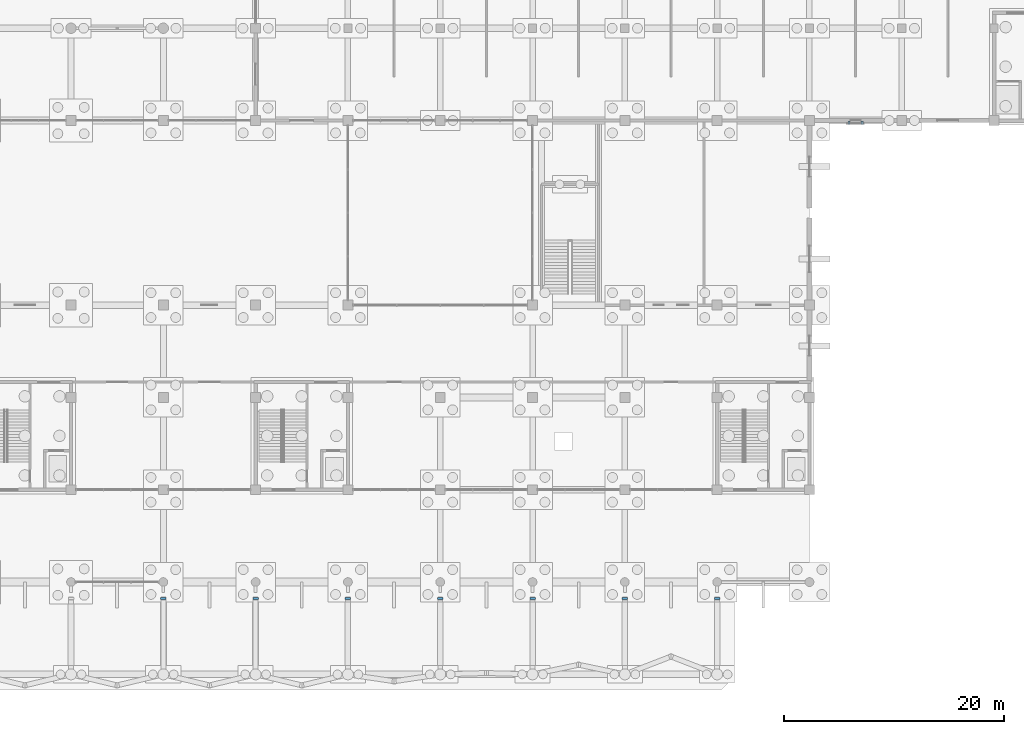
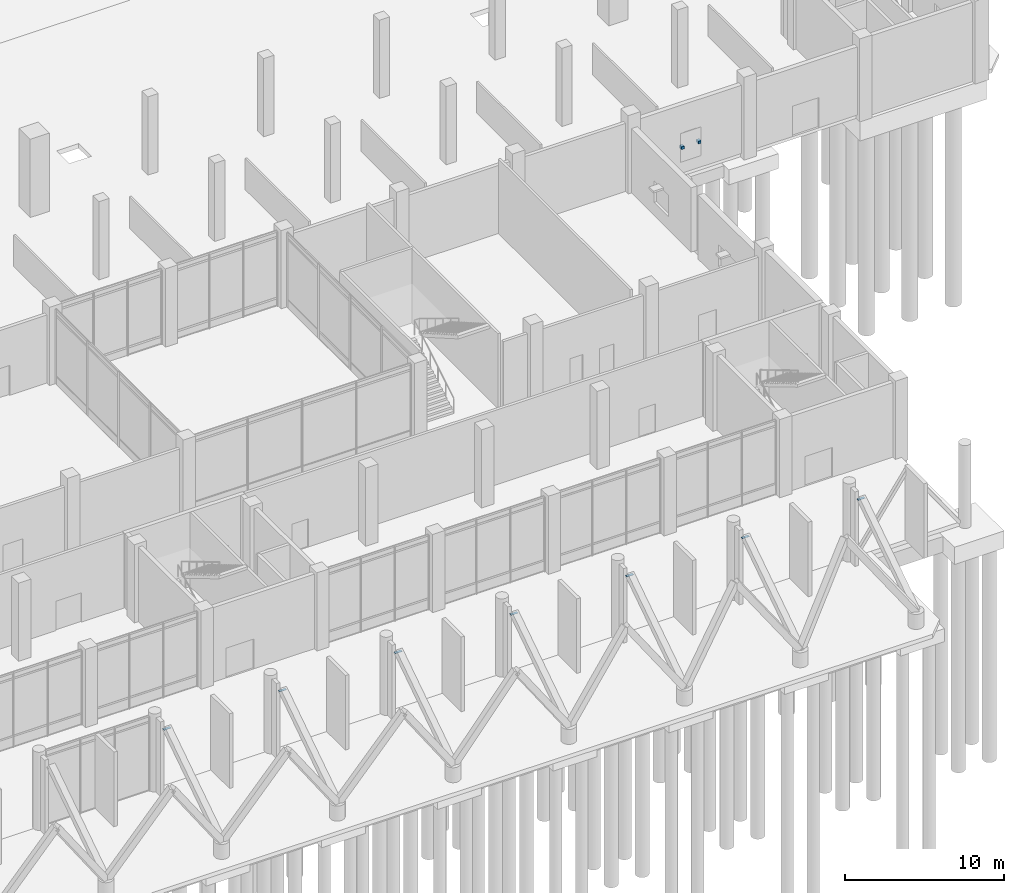
# One storey, part 68 of 72: 9 discrete accessories.
"""IFC4 building model written with IfcOpenShell, lengths in metres."""

from ifc_helpers import new_model, si_unit, direction, frame, origin, origin_2d, place, context, subcontext, project, spatial, rectangle, extrude, material, type_object, element, save


model = new_model("IFC4")

# Units and contexts
model_context = context("Model", 3, precision=1e-05, world=origin(), true_north=direction((0.0, 1.0)))
body_context = subcontext(model_context, "Body", "Model", "MODEL_VIEW")
ifc_project = project(units=[si_unit("LENGTHUNIT", "METRE"), si_unit("AREAUNIT", "SQUARE_METRE"), si_unit("VOLUMEUNIT", "CUBIC_METRE"), si_unit("PLANEANGLEUNIT", "RADIAN"), si_unit("MASSUNIT", "GRAM", prefix="KILO")], contexts=[model_context])

# Site, building, storey
site_placement = place(None, origin())
site = spatial("IfcSite", under=ifc_project, at=site_placement, CompositionType="ELEMENT")
building_placement = place(site_placement, origin())
building = spatial("IfcBuilding", under=site, at=building_placement, Name="Qawsi Khor Wholesale Market", CompositionType="ELEMENT")
storey_placement = place(building_placement, origin())
storey = spatial("IfcBuildingStorey", under=building, at=storey_placement, Name="L00", CompositionType="ELEMENT", Elevation=0.0)

# Discrete accessories
ifc_material = material(Name="Steel S355", Category="steel")
discrete_accessory_type_1 = type_object("IfcDiscreteAccessoryType", Name="Screen Fixing Bracket Steel S355", PredefinedType="BRACKET", material=ifc_material)
for number, where, z_axis, x_axis, name in (
    (1, (198.010009765625, 41.794921875, 1.9501953125), (0.0, 0.0, 1.0), (1.0, 0.0, 0.0), "Screen bracket 089-1"),
    (2, (196.7900390625, 41.794921875, 1.9501953125), (0.0, 0.0, 1.0), (1.0, 0.0, 0.0), "Screen bracket 089-2"),
):
    element("IfcDiscreteAccessory", number, at=place(storey_placement, frame(where, z_axis=z_axis, x_axis=x_axis)), inside=storey, type_object=discrete_accessory_type_1, Name=name, PredefinedType="BRACKET", context=body_context, shape_type="SweptSolid", body=[
        extrude(rectangle(XDim=0.199951171875, YDim=0.280029296875, at=origin_2d()), origin(), (0.0, 0.0, 1.0), 0.199951171875),
    ])
discrete_accessory_type_2 = type_object("IfcDiscreteAccessoryType", Name="Strut Head Seat Plate 25 S355", PredefinedType="BRACKET", material=ifc_material)
for number, where, z_axis, x_axis, name in (
    (3, (134.39990234375, -1.5, 5.505126953125), (0.0, 0.0, 1.0), (1.0, 0.0, 0.0), "Back-strut 16 head seat plate"),
    (4, (142.800048828125, -1.5, 5.505126953125), (0.0, 0.0, 1.0), (1.0, 0.0, 0.0), "Back-strut 17 head seat plate"),
    (5, (151.199951171875, -1.5, 5.505126953125), (0.0, 0.0, 1.0), (1.0, 0.0, 0.0), "Back-strut 18 head seat plate"),
    (6, (159.60009765625, -1.5, 5.505126953125), (0.0, 0.0, 1.0), (1.0, 0.0, 0.0), "Back-strut 19 head seat plate"),
    (7, (168.0, -1.5, 5.505126953125), (0.0, 0.0, 1.0), (1.0, 0.0, 0.0), "Back-strut 20 head seat plate"),
    (8, (176.39990234375, -1.5, 5.505126953125), (0.0, 0.0, 1.0), (1.0, 0.0, 0.0), "Back-strut 21 head seat plate"),
    (9, (184.800048828125, -1.5, 5.505126953125), (0.0, 0.0, 1.0), (1.0, 0.0, 0.0), "Back-strut 22 head seat plate"),
):
    element("IfcDiscreteAccessory", number, at=place(storey_placement, frame(where, z_axis=z_axis, x_axis=x_axis)), inside=storey, type_object=discrete_accessory_type_2, Name=name, PredefinedType="BRACKET", context=body_context, shape_type="SweptSolid", body=[
        extrude(rectangle(XDim=0.5, YDim=0.199951171875, at=origin_2d()), origin(), (0.0, 0.0, 1.0), 0.02490234375),
    ])

save(model, "model.ifc")
